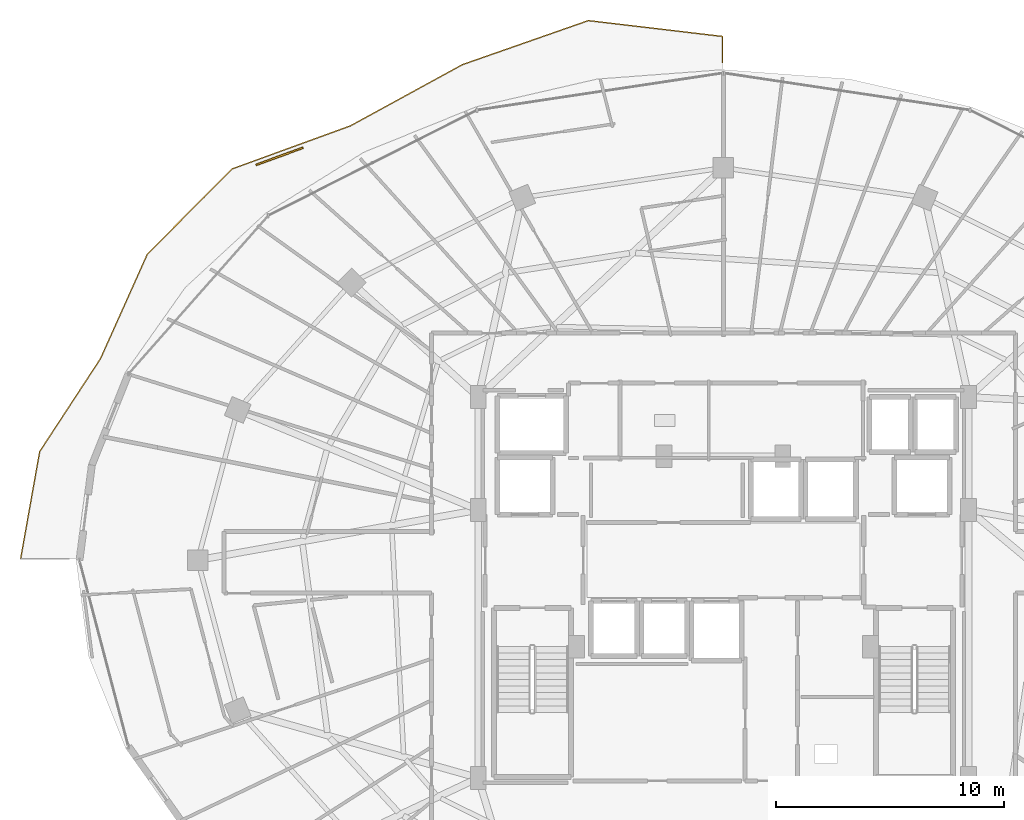
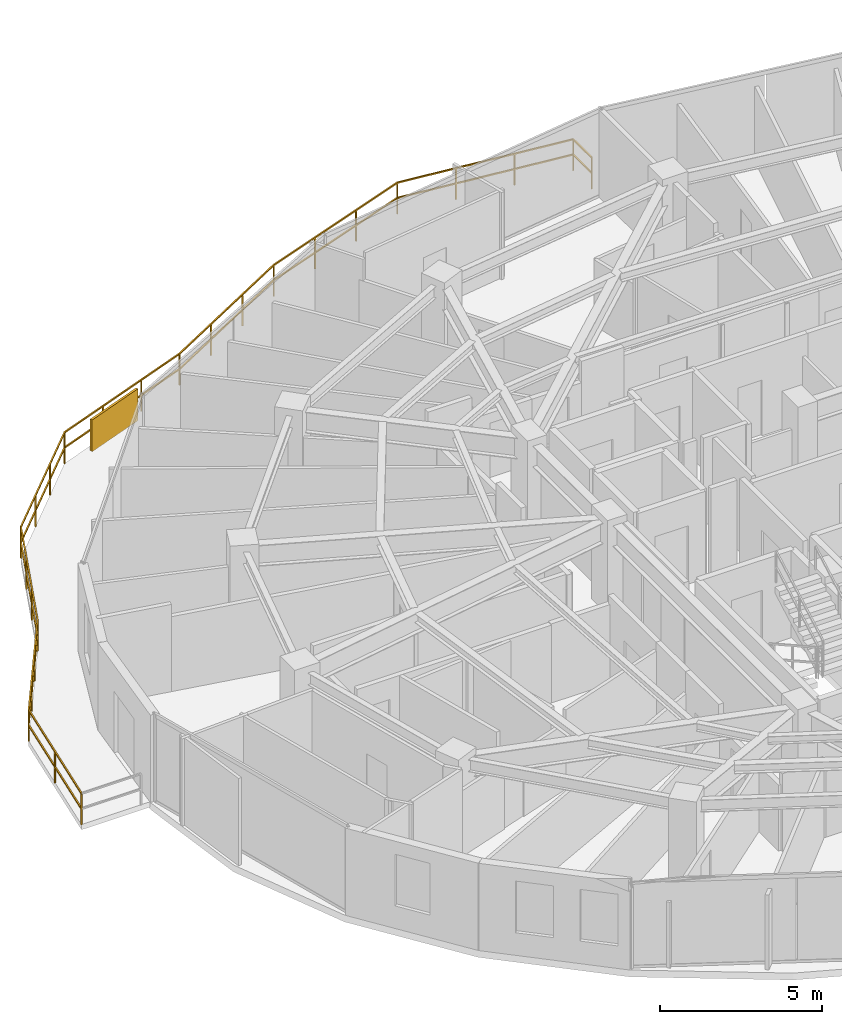
# One storey, part 33 of 34: 1 railing, 1 shading device.
"""IFC4 building model written with IfcOpenShell, lengths in metres."""

from ifc_helpers import new_model, si_unit, direction, frame, origin, origin_2d, place, context, subcontext, project, spatial, rectangle, extrude, material, type_object, element, save


model = new_model("IFC4")

# Units and contexts
model_context = context("Model", 3, precision=1e-05, world=origin(), true_north=direction((0.0, 1.0)))
body_context = subcontext(model_context, "Body", "Model", "MODEL_VIEW")
ifc_project = project(units=[si_unit("LENGTHUNIT", "METRE"), si_unit("AREAUNIT", "SQUARE_METRE"), si_unit("VOLUMEUNIT", "CUBIC_METRE"), si_unit("PLANEANGLEUNIT", "RADIAN"), si_unit("MASSUNIT", "GRAM", prefix="KILO")], contexts=[model_context])

# Site, building, storey
site_placement = place(None, origin())
site = spatial("IfcSite", under=ifc_project, at=site_placement, CompositionType="ELEMENT")
building_placement = place(site_placement, origin())
building = spatial("IfcBuilding", under=site, at=building_placement, Name="Vorneva Point Tower", CompositionType="ELEMENT")
storey_placement = place(building_placement, frame((0.0, 0.0, 210.75)))
storey = spatial("IfcBuildingStorey", under=building, at=storey_placement, Name="L57", CompositionType="ELEMENT", Elevation=210.75)

# Railing
ifc_material = material(Name="Pale anodised aluminium", Category="aluminium")
railing_type = type_object("IfcRailingType", Name="RL-BAL-1200", PredefinedType="BALUSTRADE", material=ifc_material)
railing_placement = place(storey_placement, frame((37.949951171875, 47.817138671875, 0.0)))
element("IfcRailing", 1, at=railing_placement, inside=storey, type_object=railing_type, Name="L57 Wave Balcony Balustrade NW.2", PredefinedType="BALUSTRADE", context=body_context, shape_type="SweptSolid", body=[
    extrude(rectangle(XDim=0.048095703125, YDim=0.048095703125, at=origin_2d()), frame((0.0, 0.0, 1.17578125), z_axis=(0.0, 1.0, 0.0), x_axis=(-1.0, 0.0, 0.0)), (0.0, 0.0, 1.0), 1.143798828125),
    extrude(rectangle(XDim=0.048095703125, YDim=0.048095703125, at=origin_2d()), frame((0.0, 0.0, 0.60009765625), z_axis=(0.0, 1.0, 0.0), x_axis=(-1.0, 0.0, 0.0)), (0.0, 0.0, 1.0), 1.143798828125),
    extrude(rectangle(XDim=0.048095703125, YDim=0.048095703125, at=origin_2d()), frame((0.0, 1.143798828125, 1.17578125), z_axis=(-0.99309950924, 0.11727474045, 0.0), x_axis=(-0.11727474045, -0.99309950924, 0.0)), (0.0, 0.0, 1.0), 5.914306640625),
    extrude(rectangle(XDim=0.048095703125, YDim=0.048095703125, at=origin_2d()), frame((0.0, 1.143798828125, 0.60009765625), z_axis=(-0.99309950924, 0.11727474045, 0.0), x_axis=(-0.11727474045, -0.99309950924, 0.0)), (0.0, 0.0, 1.0), 5.914306640625),
    extrude(rectangle(XDim=0.048095703125, YDim=0.048095703125, at=origin_2d()), frame((-5.87353515625, 1.83740234375, 1.17578125), z_axis=(-0.943956584951, -0.330069637695, 0.0), x_axis=(0.330069637695, -0.943956584951, 0.0)), (0.0, 0.0, 1.0), 5.8486328125),
    extrude(rectangle(XDim=0.048095703125, YDim=0.048095703125, at=origin_2d()), frame((-5.87353515625, 1.83740234375, 0.60009765625), z_axis=(-0.943956584951, -0.330069637695, 0.0), x_axis=(0.330069637695, -0.943956584951, 0.0)), (0.0, 0.0, 1.0), 5.8486328125),
    extrude(rectangle(XDim=0.048095703125, YDim=0.048095703125, at=origin_2d()), frame((-11.394287109375, -0.093017578125, 1.17578125), z_axis=(-0.877453467903, -0.479661767984, 0.0), x_axis=(0.479661767984, -0.877453467903, 0.0)), (0.0, 0.0, 1.0), 5.597412109375),
    extrude(rectangle(XDim=0.048095703125, YDim=0.048095703125, at=origin_2d()), frame((-11.394287109375, -0.093017578125, 0.60009765625), z_axis=(-0.877453467903, -0.479661767984, 0.0), x_axis=(0.479661767984, -0.877453467903, 0.0)), (0.0, 0.0, 1.0), 5.597412109375),
    extrude(rectangle(XDim=0.048095703125, YDim=0.048095703125, at=origin_2d()), frame((-16.3056640625, -2.77783203125, 1.17578125), z_axis=(-0.939736603952, -0.341899276386, 0.0), x_axis=(0.341899276386, -0.939736603952, 0.0)), (0.0, 0.0, 1.0), 5.521240234375),
    extrude(rectangle(XDim=0.048095703125, YDim=0.048095703125, at=origin_2d()), frame((-16.3056640625, -2.77783203125, 0.60009765625), z_axis=(-0.939736603952, -0.341899276386, 0.0), x_axis=(0.341899276386, -0.939736603952, 0.0)), (0.0, 0.0, 1.0), 5.521240234375),
    extrude(rectangle(XDim=0.048095703125, YDim=0.048095703125, at=origin_2d()), frame((-21.494140625, -4.66552734375, 1.17578125), z_axis=(-0.70488056619, -0.709326009256, 0.0), x_axis=(0.709326009256, -0.70488056619, 0.0)), (0.0, 0.0, 1.0), 5.272216796875),
    extrude(rectangle(XDim=0.048095703125, YDim=0.048095703125, at=origin_2d()), frame((-21.494140625, -4.66552734375, 0.60009765625), z_axis=(-0.70488056619, -0.709326009256, 0.0), x_axis=(0.709326009256, -0.70488056619, 0.0)), (0.0, 0.0, 1.0), 5.272216796875),
    extrude(rectangle(XDim=0.048095703125, YDim=0.048095703125, at=origin_2d()), frame((-25.21044921875, -8.4052734375, 1.17578125), z_axis=(-0.409188443732, -0.912449898634, 0.0), x_axis=(0.912449898634, -0.409188443732, 0.0)), (0.0, 0.0, 1.0), 5.0244140625),
    extrude(rectangle(XDim=0.048095703125, YDim=0.048095703125, at=origin_2d()), frame((-25.21044921875, -8.4052734375, 0.60009765625), z_axis=(-0.409188443732, -0.912449898634, 0.0), x_axis=(0.912449898634, -0.409188443732, 0.0)), (0.0, 0.0, 1.0), 5.0244140625),
    extrude(rectangle(XDim=0.048095703125, YDim=0.048095703125, at=origin_2d()), frame((-27.266357421875, -12.98974609375, 1.17578125), z_axis=(-0.547637451213, -0.836715735497, 0.0), x_axis=(0.836715735497, -0.547637451213, 0.0)), (0.0, 0.0, 1.0), 4.86376953125),
    extrude(rectangle(XDim=0.048095703125, YDim=0.048095703125, at=origin_2d()), frame((-27.266357421875, -12.98974609375, 0.60009765625), z_axis=(-0.547637451213, -0.836715735497, 0.0), x_axis=(0.836715735497, -0.547637451213, 0.0)), (0.0, 0.0, 1.0), 4.86376953125),
    extrude(rectangle(XDim=0.048095703125, YDim=0.048095703125, at=origin_2d()), frame((-29.929931640625, -17.059326171875, 1.17578125), z_axis=(-0.174880445962, -0.984589675763, 0.0), x_axis=(0.984589675763, -0.174880445962, 0.0)), (0.0, 0.0, 1.0), 4.781494140625),
    extrude(rectangle(XDim=0.048095703125, YDim=0.048095703125, at=origin_2d()), frame((-29.929931640625, -17.059326171875, 0.60009765625), z_axis=(-0.174880445962, -0.984589675763, 0.0), x_axis=(0.984589675763, -0.174880445962, 0.0)), (0.0, 0.0, 1.0), 4.781494140625),
    extrude(rectangle(XDim=0.0419921875, YDim=0.0419921875, at=origin_2d()), origin(), (0.0, 0.0, 1.0), 1.15185546875),
    extrude(rectangle(XDim=0.0419921875, YDim=0.0419921875, at=origin_2d()), frame((0.0, 1.143798828125, 0.0)), (0.0, 0.0, 1.0), 1.15185546875),
    extrude(rectangle(XDim=0.0419921875, YDim=0.0419921875, at=origin_2d()), frame((-1.957763671875, 1.375, 0.0)), (0.0, 0.0, 1.0), 1.15185546875),
    extrude(rectangle(XDim=0.0419921875, YDim=0.0419921875, at=origin_2d()), frame((-3.915771484375, 1.606201171875, 0.0)), (0.0, 0.0, 1.0), 1.15185546875),
    extrude(rectangle(XDim=0.0419921875, YDim=0.0419921875, at=origin_2d()), frame((-5.87353515625, 1.83740234375, 0.0)), (0.0, 0.0, 1.0), 1.15185546875),
    extrude(rectangle(XDim=0.0419921875, YDim=0.0419921875, at=origin_2d()), frame((-7.7138671875, 1.19384765625, 0.0)), (0.0, 0.0, 1.0), 1.15185546875),
    extrude(rectangle(XDim=0.0419921875, YDim=0.0419921875, at=origin_2d()), frame((-9.553955078125, 0.550537109375, 0.0)), (0.0, 0.0, 1.0), 1.15185546875),
    extrude(rectangle(XDim=0.0419921875, YDim=0.0419921875, at=origin_2d()), frame((-11.394287109375, -0.093017578125, 0.0)), (0.0, 0.0, 1.0), 1.15185546875),
    extrude(rectangle(XDim=0.0419921875, YDim=0.0419921875, at=origin_2d()), frame((-13.031494140625, -0.988037109375, 0.0)), (0.0, 0.0, 1.0), 1.15185546875),
    extrude(rectangle(XDim=0.0419921875, YDim=0.0419921875, at=origin_2d()), frame((-14.66845703125, -1.8828125, 0.0)), (0.0, 0.0, 1.0), 1.15185546875),
    extrude(rectangle(XDim=0.0419921875, YDim=0.0419921875, at=origin_2d()), frame((-16.3056640625, -2.77783203125, 0.0)), (0.0, 0.0, 1.0), 1.15185546875),
    extrude(rectangle(XDim=0.0419921875, YDim=0.0419921875, at=origin_2d()), frame((-18.03515625, -3.406982421875, 0.0)), (0.0, 0.0, 1.0), 1.15185546875),
    extrude(rectangle(XDim=0.0419921875, YDim=0.0419921875, at=origin_2d()), frame((-19.7646484375, -4.036376953125, 0.0)), (0.0, 0.0, 1.0), 1.15185546875),
    extrude(rectangle(XDim=0.0419921875, YDim=0.0419921875, at=origin_2d()), frame((-21.494140625, -4.66552734375, 0.0)), (0.0, 0.0, 1.0), 1.15185546875),
    extrude(rectangle(XDim=0.0419921875, YDim=0.0419921875, at=origin_2d()), frame((-22.73291015625, -5.912109375, 0.0)), (0.0, 0.0, 1.0), 1.15185546875),
    extrude(rectangle(XDim=0.0419921875, YDim=0.0419921875, at=origin_2d()), frame((-23.9716796875, -7.15869140625, 0.0)), (0.0, 0.0, 1.0), 1.15185546875),
    extrude(rectangle(XDim=0.0419921875, YDim=0.0419921875, at=origin_2d()), frame((-25.21044921875, -8.4052734375, 0.0)), (0.0, 0.0, 1.0), 1.15185546875),
    extrude(rectangle(XDim=0.0419921875, YDim=0.0419921875, at=origin_2d()), frame((-25.895751953125, -9.933349609375, 0.0)), (0.0, 0.0, 1.0), 1.15185546875),
    extrude(rectangle(XDim=0.0419921875, YDim=0.0419921875, at=origin_2d()), frame((-26.5810546875, -11.461669921875, 0.0)), (0.0, 0.0, 1.0), 1.15185546875),
    extrude(rectangle(XDim=0.0419921875, YDim=0.0419921875, at=origin_2d()), frame((-27.266357421875, -12.98974609375, 0.0)), (0.0, 0.0, 1.0), 1.15185546875),
    extrude(rectangle(XDim=0.0419921875, YDim=0.0419921875, at=origin_2d()), frame((-28.154296875, -14.34619140625, 0.0)), (0.0, 0.0, 1.0), 1.15185546875),
    extrude(rectangle(XDim=0.0419921875, YDim=0.0419921875, at=origin_2d()), frame((-29.0419921875, -15.702880859375, 0.0)), (0.0, 0.0, 1.0), 1.15185546875),
    extrude(rectangle(XDim=0.0419921875, YDim=0.0419921875, at=origin_2d()), frame((-29.929931640625, -17.059326171875, 0.0)), (0.0, 0.0, 1.0), 1.15185546875),
    extrude(rectangle(XDim=0.0419921875, YDim=0.0419921875, at=origin_2d()), frame((-30.34814453125, -19.4130859375, 0.0)), (0.0, 0.0, 1.0), 1.15185546875),
    extrude(rectangle(XDim=0.0419921875, YDim=0.0419921875, at=origin_2d()), frame((-30.76611328125, -21.76708984375, 0.0)), (0.0, 0.0, 1.0), 1.15185546875),
])

# Shading device
shading_device_type = type_object("IfcShadingDeviceType", Name="SHD-JAL-1200", PredefinedType="JALOUSIE", material=ifc_material)
shading_device_placement = place(storey_placement, frame((18.537109375, 43.70166015625, -0.02001953125), z_axis=(0.0, 0.0, 1.0), x_axis=(-0.939734399416, -0.341905335662, 0.0)))
element("IfcShadingDevice", 2, at=shading_device_placement, inside=storey, type_object=shading_device_type, Name="L57 Balcony Vertical-Greenery Planter Screen NW.2", PredefinedType="JALOUSIE", context=body_context, shape_type="SweptSolid", body=[
    extrude(rectangle(XDim=2.199951171875, YDim=0.080078125, at=origin_2d()), origin(), (0.0, 0.0, 1.0), 1.199951171875),
])

save(model, "model.ifc")
